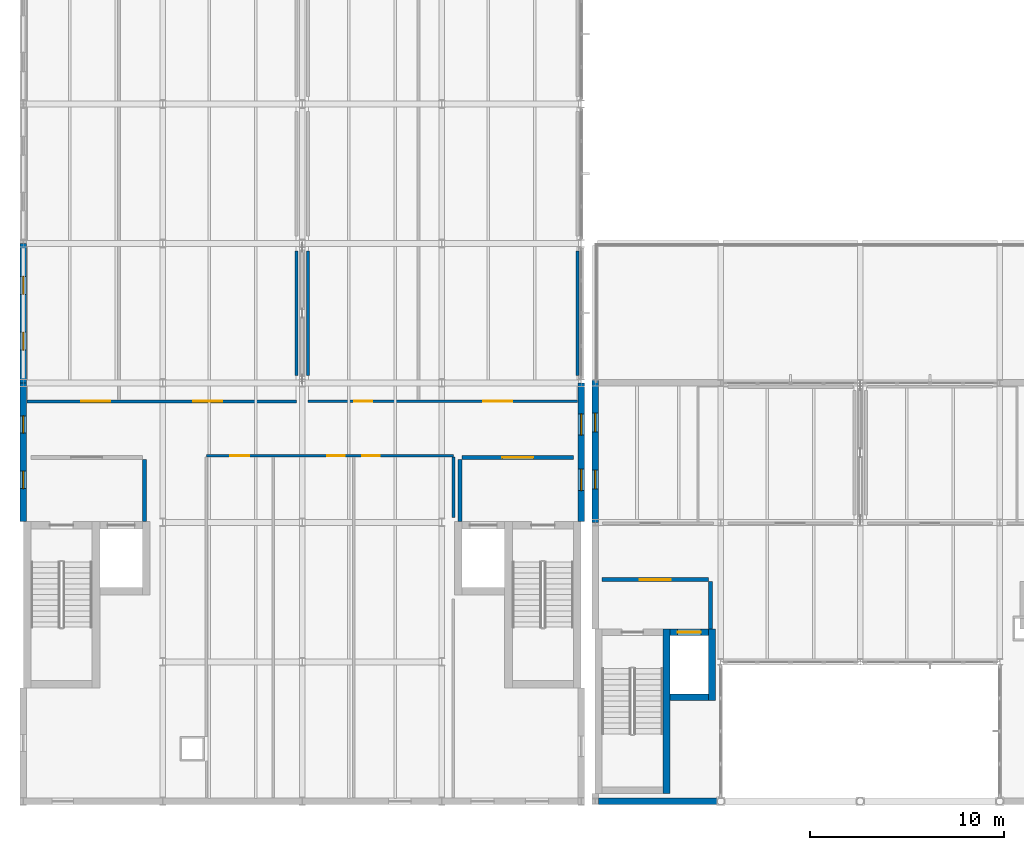
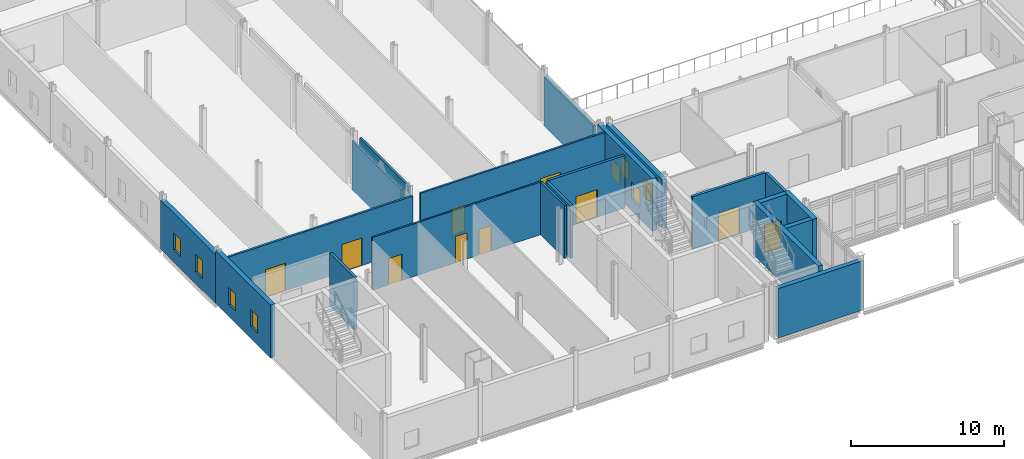
# One storey, part 36 of 53: 21 walls, 10 doors, 8 windows, 18 openings.
"""IFC4 building model written with IfcOpenShell, lengths in metres."""

from ifc_helpers import new_model, si_unit, direction, frame, frame_2d, origin, place, context, subcontext, project, spatial, rectangle, extrude, material, layer, layer_set, type_object, element, fill, save


model = new_model("IFC4")

# Units and contexts
model_context = context("Model", 3, precision=1e-05, world=origin(), true_north=direction((0.0, 1.0)))
body_context = subcontext(model_context, "Body", "Model", "MODEL_VIEW")
ifc_project = project(units=[si_unit("LENGTHUNIT", "METRE"), si_unit("AREAUNIT", "SQUARE_METRE"), si_unit("VOLUMEUNIT", "CUBIC_METRE"), si_unit("PLANEANGLEUNIT", "RADIAN"), si_unit("MASSUNIT", "GRAM", prefix="KILO")], contexts=[model_context])

# Site, building, storey
site_placement = place(None, origin())
site = spatial("IfcSite", under=ifc_project, at=site_placement, CompositionType="ELEMENT")
building_placement = place(site_placement, origin())
building = spatial("IfcBuilding", under=site, at=building_placement, Name="Zarrinpeak Specialist Clinic", CompositionType="ELEMENT")
storey_placement = place(building_placement, frame((0.0, 0.0, 14.0)))
storey = spatial("IfcBuildingStorey", under=building, at=storey_placement, Name="L03", CompositionType="ELEMENT", Elevation=14.0)

# Walls
ifc_material_1 = material(Name="Concrete C40/50", Category="concrete")
ifc_layer_1 = layer(ifc_material_1, 0.35009765625)
ifc_layer_set_1 = layer_set([ifc_layer_1], Name="Concrete C40/50")
wall_type_1 = type_object("IfcWallType", Name="WL-CR350", PredefinedType="SHEAR", material=ifc_layer_set_1)
wall_1_placement = place(storey_placement, frame((33.195068359375, 0.39990234375, 0.0), z_axis=(0.0, 0.0, 1.0), x_axis=(0.0, 1.0, 0.0)))
element("IfcWall", 1, at=wall_1_placement, inside=storey, type_object=wall_type_1, Name="L03 Core C03 Shear Wall STE", PredefinedType="SHEAR", context=body_context, shape_type="SweptSolid", body=[
    extrude(rectangle(XDim=8.5, YDim=0.35009765625, at=frame_2d((4.25, 0.0))), origin(), (0.0, 0.0, 1.0), 4.199951171875),
])
wall_2_placement = place(storey_placement, frame((33.3701171875, 5.375, 0.0), z_axis=(0.0, 0.0, 1.0), x_axis=(1.0, 0.0, 0.0)))
element("IfcWall", 2, at=wall_2_placement, inside=storey, type_object=wall_type_1, Name="L03 Lift LF-P2 Shaft Wall LFS", PredefinedType="SHEAR", context=body_context, shape_type="SweptSolid", body=[
    extrude(rectangle(XDim=2.0, YDim=0.35009765625, at=frame_2d((1.0, 0.0))), origin(), (0.0, 0.0, 1.0), 4.199951171875),
])

# Wall, opening, door
wall_3_placement = place(storey_placement, frame((33.3701171875, 8.72509765625, 0.0), z_axis=(0.0, 0.0, 1.0), x_axis=(1.0, 0.0, 0.0)))
wall_3 = element("IfcWall", 3, at=wall_3_placement, inside=storey, type_object=wall_type_1, Name="L03 Lift LF-P2 Shaft Wall LFN", PredefinedType="SHEAR", context=body_context, shape_type="SweptSolid", body=[
    extrude(rectangle(XDim=2.0, YDim=0.35009765625, at=frame_2d((1.0, 0.0))), origin(), (0.0, 0.0, 1.0), 4.199951171875),
])
opening_1_placement = place(wall_3_placement, frame((0.39990234375, 0.0, 0.0)))
opening_1 = element("IfcOpeningElement", 4, at=opening_1_placement, cuts=wall_3, Name="Opening LD-02", PredefinedType="OPENING", context=body_context, shape_type="SweptSolid", body=[
    extrude(rectangle(XDim=1.199951171875, YDim=2.199951171875, at=frame_2d((0.60009765625, 1.10009765625))), frame((0.0, 0.18505859375, 0.0), z_axis=(0.0, -1.0, 0.0), x_axis=(1.0, 0.0, 0.0)), (0.0, 0.0, 1.0), 0.3701171875),
])
ifc_material_2 = material(Name="Powder-Coated Galvanised Steel", Category="steel")
door_type_1 = type_object("IfcDoorType", Name="DR-LD120", OperationType="SLIDING_TO_RIGHT", PredefinedType="DOOR", material=ifc_material_2)
door_1_placement = place(opening_1_placement, origin())
door_1 = element("IfcDoor", 5, at=door_1_placement, inside=storey, type_object=door_type_1, Name="L03 Lift LF-P2 Sliding Landing Door", OperationType="SLIDING_TO_RIGHT", OverallHeight=2.199951171875, OverallWidth=1.199951171875, PredefinedType="DOOR", context=body_context, shape_type="SweptSolid", body=[
    extrude(rectangle(XDim=1.199951171875, YDim=2.199951171875, at=frame_2d((0.60009765625, 1.10009765625))), frame((0.0, 0.02490234375, 0.0), z_axis=(0.0, -1.0, 0.0), x_axis=(1.0, 0.0, 0.0)), (0.0, 0.0, 1.0), 0.050048828125),
])
fill(opening_1, door_1)

# Wall
wall_4_placement = place(storey_placement, frame((35.544921875, 5.199951171875, 0.0), z_axis=(0.0, 0.0, 1.0), x_axis=(0.0, 1.0, 0.0)))
element("IfcWall", 6, at=wall_4_placement, inside=storey, type_object=wall_type_1, Name="L03 Lift LF-P2 Shaft Wall LFE", PredefinedType="SHEAR", context=body_context, shape_type="SweptSolid", body=[
    extrude(rectangle(XDim=3.699951171875, YDim=0.35009765625, at=frame_2d((1.85009765625, 0.0))), origin(), (0.0, 0.0, 1.0), 4.199951171875),
])

# Wall, openings, windows
ifc_material_3 = material(Name="Precast concrete C40/50", Category="concrete")
ifc_layer_2 = layer(ifc_material_3, 0.340087890625)
ifc_layer_set_2 = layer_set([ifc_layer_2], Name="Precast concrete C40/50")
wall_type_2 = type_object("IfcWallType", Name="WL-EW340", PredefinedType="STANDARD", material=ifc_layer_set_2)
wall_5_placement = place(storey_placement, frame((0.0, 21.60009765625, 0.0), z_axis=(0.0, 0.0, 1.0), x_axis=(0.0, -1.0, 0.0)))
wall_5 = element("IfcWall", 7, at=wall_5_placement, inside=storey, type_object=wall_type_2, Name="L03 V1 Exterior GRC Wall EW-L03-V1-0050", PredefinedType="STANDARD", context=body_context, shape_type="SweptSolid", body=[
    extrude(rectangle(XDim=7.150146484375, YDim=0.340087890625, at=frame_2d((3.5751953125, 0.0))), origin(), (0.0, 0.0, 1.0), 4.199951171875),
])
opening_2_placement = place(wall_5_placement, frame((1.697998046875, 0.0, 0.949951171875)))
opening_2 = element("IfcOpeningElement", 8, at=opening_2_placement, cuts=wall_5, Name="Opening WS-41", PredefinedType="OPENING", context=body_context, shape_type="SweptSolid", body=[
    extrude(rectangle(XDim=0.89404296875, YDim=1.367919921875, at=frame_2d((0.447021484375, 0.68408203125))), frame((0.0, 0.18017578125, 0.0), z_axis=(0.0, -1.0, 0.0), x_axis=(1.0, 0.0, 0.0)), (0.0, 0.0, 1.0), 0.360107421875),
])
opening_3_placement = place(wall_5_placement, frame((4.55810546875, 0.0, 0.949951171875)))
opening_3 = element("IfcOpeningElement", 9, at=opening_3_placement, cuts=wall_5, Name="Opening WS-41", PredefinedType="OPENING", context=body_context, shape_type="SweptSolid", body=[
    extrude(rectangle(XDim=0.89404296875, YDim=1.367919921875, at=frame_2d((0.447021484375, 0.68408203125))), frame((0.0, 0.18017578125, 0.0), z_axis=(0.0, -1.0, 0.0), x_axis=(1.0, 0.0, 0.0)), (0.0, 0.0, 1.0), 0.360107421875),
])
ifc_material_4 = material(Name="Thermally Broken Aluminium and Low-E Glazing", Category="aluminium")
window_type_1 = type_object("IfcWindowType", Name="WN-SP41", PartitioningType="SINGLE_PANEL", PredefinedType="WINDOW", material=ifc_material_4)
window_1_placement = place(opening_2_placement, origin())
window_1 = element("IfcWindow", 10, at=window_1_placement, inside=storey, type_object=window_type_1, Name="L03 Modular Facade Window WN-L03-0073", OverallHeight=1.367919921875, OverallWidth=0.89404296875, PartitioningType="SINGLE_PANEL", PredefinedType="WINDOW", context=body_context, shape_type="SweptSolid", body=[
    extrude(rectangle(XDim=0.89404296875, YDim=1.367919921875, at=frame_2d((0.447021484375, 0.68408203125))), frame((0.0, 0.030029296875, 0.0), z_axis=(0.0, -1.0, 0.0), x_axis=(1.0, 0.0, 0.0)), (0.0, 0.0, 1.0), 0.06005859375),
])
fill(opening_2, window_1)
window_2_placement = place(opening_3_placement, origin())
window_2 = element("IfcWindow", 11, at=window_2_placement, inside=storey, type_object=window_type_1, Name="L03 Modular Facade Window WN-L03-0074", OverallHeight=1.367919921875, OverallWidth=0.89404296875, PartitioningType="SINGLE_PANEL", PredefinedType="WINDOW", context=body_context, shape_type="SweptSolid", body=[
    extrude(rectangle(XDim=0.89404296875, YDim=1.367919921875, at=frame_2d((0.447021484375, 0.68408203125))), frame((0.0, 0.030029296875, 0.0), z_axis=(0.0, -1.0, 0.0), x_axis=(1.0, 0.0, 0.0)), (0.0, 0.0, 1.0), 0.06005859375),
])
fill(opening_3, window_2)

wall_6_placement = place(storey_placement, frame((0.0, 28.800048828125, 0.0), z_axis=(0.0, 0.0, 1.0), x_axis=(0.0, -1.0, 0.0)))
wall_6 = element("IfcWall", 12, at=wall_6_placement, inside=storey, type_object=wall_type_2, Name="L03 V1 Exterior GRC Wall EW-L03-V1-0051", PredefinedType="STANDARD", context=body_context, shape_type="SweptSolid", body=[
    extrude(rectangle(XDim=7.199951171875, YDim=0.340087890625, at=frame_2d((3.60009765625, 0.0))), origin(), (0.0, 0.0, 1.0), 3.885009765625),
])
opening_4_placement = place(wall_6_placement, frame((1.696044921875, 0.0, 0.949951171875)))
opening_4 = element("IfcOpeningElement", 13, at=opening_4_placement, cuts=wall_6, Name="Opening WS-42", PredefinedType="OPENING", context=body_context, shape_type="SweptSolid", body=[
    extrude(rectangle(XDim=0.927978515625, YDim=1.367919921875, at=frame_2d((0.4638671875, 0.68408203125))), frame((0.0, 0.18017578125, 0.0), z_axis=(0.0, -1.0, 0.0), x_axis=(1.0, 0.0, 0.0)), (0.0, 0.0, 1.0), 0.360107421875),
])
opening_5_placement = place(wall_6_placement, frame((4.575927734375, 0.0, 0.949951171875)))
opening_5 = element("IfcOpeningElement", 14, at=opening_5_placement, cuts=wall_6, Name="Opening WS-42", PredefinedType="OPENING", context=body_context, shape_type="SweptSolid", body=[
    extrude(rectangle(XDim=0.927978515625, YDim=1.367919921875, at=frame_2d((0.4638671875, 0.68408203125))), frame((0.0, 0.18017578125, 0.0), z_axis=(0.0, -1.0, 0.0), x_axis=(1.0, 0.0, 0.0)), (0.0, 0.0, 1.0), 0.360107421875),
])
window_type_2 = type_object("IfcWindowType", Name="WN-SP42", PartitioningType="SINGLE_PANEL", PredefinedType="WINDOW", material=ifc_material_4)
window_3_placement = place(opening_4_placement, origin())
window_3 = element("IfcWindow", 15, at=window_3_placement, inside=storey, type_object=window_type_2, Name="L03 Modular Facade Window WN-L03-0075", OverallHeight=1.367919921875, OverallWidth=0.927978515625, PartitioningType="SINGLE_PANEL", PredefinedType="WINDOW", context=body_context, shape_type="SweptSolid", body=[
    extrude(rectangle(XDim=0.927978515625, YDim=1.367919921875, at=frame_2d((0.4638671875, 0.68408203125))), frame((0.0, 0.030029296875, 0.0), z_axis=(0.0, -1.0, 0.0), x_axis=(1.0, 0.0, 0.0)), (0.0, 0.0, 1.0), 0.06005859375),
])
fill(opening_4, window_3)
window_4_placement = place(opening_5_placement, origin())
window_4 = element("IfcWindow", 16, at=window_4_placement, inside=storey, type_object=window_type_2, Name="L03 Modular Facade Window WN-L03-0076", OverallHeight=1.367919921875, OverallWidth=0.927978515625, PartitioningType="SINGLE_PANEL", PredefinedType="WINDOW", context=body_context, shape_type="SweptSolid", body=[
    extrude(rectangle(XDim=0.927978515625, YDim=1.367919921875, at=frame_2d((0.4638671875, 0.68408203125))), frame((0.0, 0.030029296875, 0.0), z_axis=(0.0, -1.0, 0.0), x_axis=(1.0, 0.0, 0.0)), (0.0, 0.0, 1.0), 0.06005859375),
])
fill(opening_5, window_4)

wall_7_placement = place(storey_placement, frame((28.800048828125, 14.449951171875, 0.0), z_axis=(0.0, 0.0, 1.0), x_axis=(0.0, 1.0, 0.0)))
wall_7 = element("IfcWall", 17, at=wall_7_placement, inside=storey, type_object=wall_type_2, Name="L03 V1 Exterior GRC Wall EW-L03-V1-0056", PredefinedType="STANDARD", context=body_context, shape_type="SweptSolid", body=[
    extrude(rectangle(XDim=7.150146484375, YDim=0.340087890625, at=frame_2d((3.5751953125, 0.0))), origin(), (0.0, 0.0, 1.0), 4.199951171875),
])
opening_6_placement = place(wall_7_placement, frame((1.595947265625, 0.0, 0.949951171875)))
opening_6 = element("IfcOpeningElement", 18, at=opening_6_placement, cuts=wall_7, Name="Opening WS-47", PredefinedType="OPENING", context=body_context, shape_type="SweptSolid", body=[
    extrude(rectangle(XDim=1.097900390625, YDim=1.367919921875, at=frame_2d((0.548828125, 0.68408203125))), frame((0.0, 0.18017578125, 0.0), z_axis=(0.0, -1.0, 0.0), x_axis=(1.0, 0.0, 0.0)), (0.0, 0.0, 1.0), 0.360107421875),
])
opening_7_placement = place(wall_7_placement, frame((4.4560546875, 0.0, 0.949951171875)))
opening_7 = element("IfcOpeningElement", 19, at=opening_7_placement, cuts=wall_7, Name="Opening WS-47", PredefinedType="OPENING", context=body_context, shape_type="SweptSolid", body=[
    extrude(rectangle(XDim=1.097900390625, YDim=1.367919921875, at=frame_2d((0.548828125, 0.68408203125))), frame((0.0, 0.18017578125, 0.0), z_axis=(0.0, -1.0, 0.0), x_axis=(1.0, 0.0, 0.0)), (0.0, 0.0, 1.0), 0.360107421875),
])
window_type_3 = type_object("IfcWindowType", Name="WN-SP47", PartitioningType="SINGLE_PANEL", PredefinedType="WINDOW", material=ifc_material_4)
window_5_placement = place(opening_6_placement, origin())
window_5 = element("IfcWindow", 20, at=window_5_placement, inside=storey, type_object=window_type_3, Name="L03 Modular Facade Window WN-L03-0084", OverallHeight=1.367919921875, OverallWidth=1.097900390625, PartitioningType="SINGLE_PANEL", PredefinedType="WINDOW", context=body_context, shape_type="SweptSolid", body=[
    extrude(rectangle(XDim=1.097900390625, YDim=1.367919921875, at=frame_2d((0.548828125, 0.68408203125))), frame((0.0, 0.030029296875, 0.0), z_axis=(0.0, -1.0, 0.0), x_axis=(1.0, 0.0, 0.0)), (0.0, 0.0, 1.0), 0.06005859375),
])
fill(opening_6, window_5)
window_6_placement = place(opening_7_placement, origin())
window_6 = element("IfcWindow", 21, at=window_6_placement, inside=storey, type_object=window_type_3, Name="L03 Modular Facade Window WN-L03-0085", OverallHeight=1.367919921875, OverallWidth=1.097900390625, PartitioningType="SINGLE_PANEL", PredefinedType="WINDOW", context=body_context, shape_type="SweptSolid", body=[
    extrude(rectangle(XDim=1.097900390625, YDim=1.367919921875, at=frame_2d((0.548828125, 0.68408203125))), frame((0.0, 0.030029296875, 0.0), z_axis=(0.0, -1.0, 0.0), x_axis=(1.0, 0.0, 0.0)), (0.0, 0.0, 1.0), 0.06005859375),
])
fill(opening_7, window_6)

# Wall
wall_8_placement = place(storey_placement, frame((29.68994140625, 0.0, 0.0), z_axis=(0.0, 0.0, 1.0), x_axis=(1.0, 0.0, 0.0)))
element("IfcWall", 22, at=wall_8_placement, inside=storey, type_object=wall_type_2, Name="L03 V2 Exterior GRC Wall EW-L03-V2-0133", PredefinedType="STANDARD", context=body_context, shape_type="SweptSolid", body=[
    extrude(rectangle(XDim=6.420166015625, YDim=0.340087890625, at=frame_2d((3.2099609375, 0.0))), origin(), (0.0, 0.0, 1.0), 3.93505859375),
])

# Wall, openings, windows
wall_9_placement = place(storey_placement, frame((29.52001953125, 21.77001953125, 0.0), z_axis=(0.0, 0.0, 1.0), x_axis=(0.0, -1.0, 0.0)))
wall_9 = element("IfcWall", 23, at=wall_9_placement, inside=storey, type_object=wall_type_2, Name="L03 V2 Exterior GRC Wall EW-L03-V2-0139", PredefinedType="STANDARD", context=body_context, shape_type="SweptSolid", body=[
    extrude(rectangle(XDim=7.3701171875, YDim=0.340087890625, at=frame_2d((3.68505859375, 0.0))), origin(), (0.0, 0.0, 1.0), 3.89501953125),
])
opening_8_placement = place(wall_9_placement, frame((1.72998046875, 0.0, 0.949951171875)))
opening_8 = element("IfcOpeningElement", 24, at=opening_8_placement, cuts=wall_9, Name="Opening WS-56", PredefinedType="OPENING", context=body_context, shape_type="SweptSolid", body=[
    extrude(rectangle(XDim=0.9619140625, YDim=1.404052734375, at=frame_2d((0.48095703125, 0.7021484375))), frame((0.0, 0.18017578125, 0.0), z_axis=(0.0, -1.0, 0.0), x_axis=(1.0, 0.0, 0.0)), (0.0, 0.0, 1.0), 0.360107421875),
])
opening_9_placement = place(wall_9_placement, frame((4.677978515625, 0.0, 0.949951171875)))
opening_9 = element("IfcOpeningElement", 25, at=opening_9_placement, cuts=wall_9, Name="Opening WS-56", PredefinedType="OPENING", context=body_context, shape_type="SweptSolid", body=[
    extrude(rectangle(XDim=0.9619140625, YDim=1.404052734375, at=frame_2d((0.48095703125, 0.7021484375))), frame((0.0, 0.18017578125, 0.0), z_axis=(0.0, -1.0, 0.0), x_axis=(1.0, 0.0, 0.0)), (0.0, 0.0, 1.0), 0.360107421875),
])
window_type_4 = type_object("IfcWindowType", Name="WN-SP56", PartitioningType="SINGLE_PANEL", PredefinedType="WINDOW", material=ifc_material_4)
window_7_placement = place(opening_8_placement, origin())
window_7 = element("IfcWindow", 26, at=window_7_placement, inside=storey, type_object=window_type_4, Name="L03 Modular Facade Window WN-L03-0172", OverallHeight=1.404052734375, OverallWidth=0.9619140625, PartitioningType="SINGLE_PANEL", PredefinedType="WINDOW", context=body_context, shape_type="SweptSolid", body=[
    extrude(rectangle(XDim=0.9619140625, YDim=1.404052734375, at=frame_2d((0.48095703125, 0.7021484375))), frame((0.0, 0.030029296875, 0.0), z_axis=(0.0, -1.0, 0.0), x_axis=(1.0, 0.0, 0.0)), (0.0, 0.0, 1.0), 0.06005859375),
])
fill(opening_8, window_7)
window_8_placement = place(opening_9_placement, origin())
window_8 = element("IfcWindow", 27, at=window_8_placement, inside=storey, type_object=window_type_4, Name="L03 Modular Facade Window WN-L03-0173", OverallHeight=1.404052734375, OverallWidth=0.9619140625, PartitioningType="SINGLE_PANEL", PredefinedType="WINDOW", context=body_context, shape_type="SweptSolid", body=[
    extrude(rectangle(XDim=0.9619140625, YDim=1.404052734375, at=frame_2d((0.48095703125, 0.7021484375))), frame((0.0, 0.030029296875, 0.0), z_axis=(0.0, -1.0, 0.0), x_axis=(1.0, 0.0, 0.0)), (0.0, 0.0, 1.0), 0.06005859375),
])
fill(opening_9, window_8)

# Wall, openings, doors
ifc_material_5 = material(Name="Moisture-Resistant Wet-Room Partition", Category="gypsum")
ifc_layer_3 = layer(ifc_material_5, 0.125)
ifc_layer_set_3 = layer_set([ifc_layer_3], Name="Moisture-Resistant Wet-Room Partition")
wall_type_3 = type_object("IfcWallType", Name="WL-IW125W", PredefinedType="PARTITIONING", material=ifc_layer_set_3)
wall_10_placement = place(storey_placement, frame((9.449951171875, 17.85009765625, 0.0), z_axis=(0.0, 0.0, 1.0), x_axis=(1.0, 0.0, 0.0)))
wall_10 = element("IfcWall", 28, at=wall_10_placement, inside=storey, type_object=wall_type_3, Name="L03 Accessible Patient WC Partition", PredefinedType="PARTITIONING", context=body_context, shape_type="SweptSolid", body=[
    extrude(rectangle(XDim=12.75, YDim=0.125, at=frame_2d((6.375, 0.0))), origin(), (0.0, 0.0, 1.0), 4.199951171875),
])
opening_10_placement = place(wall_10_placement, frame((1.22509765625, 0.0, 0.0)))
opening_10 = element("IfcOpeningElement", 29, at=opening_10_placement, cuts=wall_10, Name="Opening D-W02", PredefinedType="OPENING", context=body_context, shape_type="SweptSolid", body=[
    extrude(rectangle(XDim=1.0, YDim=2.10009765625, at=frame_2d((0.5, 1.050048828125))), frame((0.0, 0.072509765625, 0.0), z_axis=(0.0, -1.0, 0.0), x_axis=(1.0, 0.0, 0.0)), (0.0, 0.0, 1.0), 0.14501953125),
])
opening_11_placement = place(wall_10_placement, frame((6.25, 0.0, 0.0)))
opening_11 = element("IfcOpeningElement", 30, at=opening_11_placement, cuts=wall_10, Name="Opening D-W01", PredefinedType="OPENING", context=body_context, shape_type="SweptSolid", body=[
    extrude(rectangle(XDim=0.89990234375, YDim=2.10009765625, at=frame_2d((0.449951171875, 1.050048828125))), frame((0.0, 0.072509765625, 0.0), z_axis=(0.0, -1.0, 0.0), x_axis=(1.0, 0.0, 0.0)), (0.0, 0.0, 1.0), 0.14501953125),
])
opening_12_placement = place(wall_10_placement, frame((8.050048828125, 0.0, 0.0)))
opening_12 = element("IfcOpeningElement", 31, at=opening_12_placement, cuts=wall_10, Name="Opening DS-02", PredefinedType="OPENING", context=body_context, shape_type="SweptSolid", body=[
    extrude(rectangle(XDim=0.906005859375, YDim=2.0400390625, at=frame_2d((0.453125, 1.02001953125))), frame((0.0, 0.072509765625, 0.0), z_axis=(0.0, -1.0, 0.0), x_axis=(1.0, 0.0, 0.0)), (0.0, 0.0, 1.0), 0.14501953125),
])
door_type_2 = type_object("IfcDoorType", Name="DR-AWC100", OperationType="SLIDING_TO_LEFT", PredefinedType="DOOR", material=ifc_material_2)
door_2_placement = place(opening_10_placement, origin())
door_2 = element("IfcDoor", 32, at=door_2_placement, inside=storey, type_object=door_type_2, Name="L03 Accessible Patient WC Door", OperationType="SLIDING_TO_LEFT", OverallHeight=2.10009765625, OverallWidth=1.0, PredefinedType="DOOR", context=body_context, shape_type="SweptSolid", body=[
    extrude(rectangle(XDim=1.0, YDim=2.10009765625, at=frame_2d((0.5, 1.050048828125))), frame((0.0, 0.02490234375, 0.0), z_axis=(0.0, -1.0, 0.0), x_axis=(1.0, 0.0, 0.0)), (0.0, 0.0, 1.0), 0.050048828125),
])
fill(opening_10, door_2)
door_type_3 = type_object("IfcDoorType", Name="DR-SP02", OperationType="SINGLE_SWING_LEFT", PredefinedType="DOOR", material=ifc_material_2)
door_3_placement = place(opening_12_placement, origin())
door_3 = element("IfcDoor", 33, at=door_3_placement, inside=storey, type_object=door_type_3, Name="L03 Prosthetics Fitting Workshop Door", OperationType="SINGLE_SWING_LEFT", OverallHeight=2.0400390625, OverallWidth=0.906005859375, PredefinedType="DOOR", context=body_context, shape_type="SweptSolid", body=[
    extrude(rectangle(XDim=0.906005859375, YDim=2.0400390625, at=frame_2d((0.453125, 1.02001953125))), frame((0.0, 0.02490234375, 0.0), z_axis=(0.0, -1.0, 0.0), x_axis=(1.0, 0.0, 0.0)), (0.0, 0.0, 1.0), 0.050048828125),
])
fill(opening_12, door_3)
door_type_4 = type_object("IfcDoorType", Name="DR-WC90", OperationType="SINGLE_SWING_RIGHT", PredefinedType="DOOR", material=ifc_material_2)
door_4_placement = place(opening_11_placement, origin())
door_4 = element("IfcDoor", 34, at=door_4_placement, inside=storey, type_object=door_type_4, Name="L03 Clinical Staff WC Door", OperationType="SINGLE_SWING_RIGHT", OverallHeight=2.10009765625, OverallWidth=0.89990234375, PredefinedType="DOOR", context=body_context, shape_type="SweptSolid", body=[
    extrude(rectangle(XDim=0.89990234375, YDim=2.10009765625, at=frame_2d((0.449951171875, 1.050048828125))), frame((0.0, 0.02490234375, 0.0), z_axis=(0.0, -1.0, 0.0), x_axis=(1.0, 0.0, 0.0)), (0.0, 0.0, 1.0), 0.050048828125),
])
fill(opening_11, door_4)

ifc_material_6 = material(Name="Acoustic Consultation Stud Partition", Category="gypsum")
ifc_layer_4 = layer(ifc_material_6, 0.14208984375)
ifc_layer_set_4 = layer_set([ifc_layer_4], Name="Acoustic Consultation Stud Partition")
wall_type_4 = type_object("IfcWallType", Name="WL-IW142", PredefinedType="PARTITIONING", material=ifc_layer_set_4)
wall_11_placement = place(storey_placement, frame((14.699951171875, 20.64990234375, 0.0), z_axis=(0.0, 0.0, 1.0), x_axis=(1.0, 0.0, 0.0)))
wall_11 = element("IfcWall", 35, at=wall_11_placement, inside=storey, type_object=wall_type_4, Name="L03 Rheumatology Ultrasound Consult Partition", PredefinedType="PARTITIONING", context=body_context, shape_type="SweptSolid", body=[
    extrude(rectangle(XDim=13.900146484375, YDim=0.14208984375, at=frame_2d((6.9501953125, 0.0))), origin(), (0.0, 0.0, 1.0), 4.199951171875),
])
opening_13_placement = place(wall_11_placement, frame((2.384033203125, 0.0, 0.0)))
opening_13 = element("IfcOpeningElement", 36, at=opening_13_placement, cuts=wall_11, Name="Opening DS-03", PredefinedType="OPENING", context=body_context, shape_type="SweptSolid", body=[
    extrude(rectangle(XDim=0.931884765625, YDim=2.0400390625, at=frame_2d((0.4658203125, 1.02001953125))), frame((0.0, 0.0810546875, 0.0), z_axis=(0.0, -1.0, 0.0), x_axis=(1.0, 0.0, 0.0)), (0.0, 0.0, 1.0), 0.162109375),
])
opening_14_placement = place(wall_11_placement, frame((9.050048828125, 0.0, 0.0)))
opening_14 = element("IfcOpeningElement", 37, at=opening_14_placement, cuts=wall_11, Name="Opening D-B01", PredefinedType="OPENING", context=body_context, shape_type="SweptSolid", body=[
    extrude(rectangle(XDim=1.5, YDim=2.199951171875, at=frame_2d((0.75, 1.10009765625))), frame((0.0, 0.0810546875, 0.0), z_axis=(0.0, -1.0, 0.0), x_axis=(1.0, 0.0, 0.0)), (0.0, 0.0, 1.0), 0.162109375),
])
door_type_5 = type_object("IfcDoorType", Name="DR-BED150", OperationType="DOUBLE_DOOR_SINGLE_SWING", PredefinedType="DOOR", material=ifc_material_2)
door_5_placement = place(opening_14_placement, frame((1.5, 0.0, 0.0), z_axis=(0.0, 0.0, 1.0), x_axis=(-1.0, 0.0, 0.0)))
door_5 = element("IfcDoor", 38, at=door_5_placement, inside=storey, type_object=door_type_5, Name="L03 Gait Motion Analysis Room Door", OperationType="DOUBLE_DOOR_SINGLE_SWING", OverallHeight=2.199951171875, OverallWidth=1.5, PredefinedType="DOOR", context=body_context, shape_type="SweptSolid", body=[
    extrude(rectangle(XDim=1.5, YDim=2.199951171875, at=frame_2d((0.75, 1.10009765625))), frame((0.0, 0.02490234375, 0.0), z_axis=(0.0, -1.0, 0.0), x_axis=(1.0, 0.0, 0.0)), (0.0, 0.0, 1.0), 0.050048828125),
])
fill(opening_14, door_5)
door_type_6 = type_object("IfcDoorType", Name="DR-SP03", OperationType="SINGLE_SWING_RIGHT", PredefinedType="DOOR", material=ifc_material_2)
door_6_placement = place(opening_13_placement, frame((0.931884765625, 0.0, 0.0), z_axis=(0.0, 0.0, 1.0), x_axis=(-1.0, 0.0, 0.0)))
door_6 = element("IfcDoor", 39, at=door_6_placement, inside=storey, type_object=door_type_6, Name="L03 Rheumatology Ultrasound Consult Door", OperationType="SINGLE_SWING_RIGHT", OverallHeight=2.0400390625, OverallWidth=0.931884765625, PredefinedType="DOOR", context=body_context, shape_type="SweptSolid", body=[
    extrude(rectangle(XDim=0.931884765625, YDim=2.0400390625, at=frame_2d((0.4658203125, 1.02001953125))), frame((0.0, 0.02490234375, 0.0), z_axis=(0.0, -1.0, 0.0), x_axis=(1.0, 0.0, 0.0)), (0.0, 0.0, 1.0), 0.050048828125),
])
fill(opening_13, door_6)

# Walls
wall_12_placement = place(storey_placement, frame((14.10009765625, 21.97998046875, 0.0), z_axis=(0.0, 0.0, 1.0), x_axis=(0.0, 1.0, 0.0)))
element("IfcWall", 40, at=wall_12_placement, inside=storey, type_object=wall_type_4, Name="L03 Pain Management Procedure Suite Dividing Partition", PredefinedType="PARTITIONING", context=body_context, shape_type="SweptSolid", body=[
    extrude(rectangle(XDim=6.43994140625, YDim=0.14208984375, at=frame_2d((3.219970703125, 0.0))), origin(), (0.0, 0.0, 1.0), 3.89501953125),
])
ifc_material_7 = material(Name="Lead-Lined X-Ray Diagnostic Partition", Category="gypsum")
ifc_layer_5 = layer(ifc_material_7, 0.157958984375)
ifc_layer_set_5 = layer_set([ifc_layer_5], Name="Lead-Lined X-Ray Diagnostic Partition")
wall_type_5 = type_object("IfcWallType", Name="WL-IW158", PredefinedType="PARTITIONING", material=ifc_layer_set_5)
wall_13_placement = place(storey_placement, frame((28.60009765625, 21.97998046875, 0.0), z_axis=(0.0, 0.0, 1.0), x_axis=(0.0, 1.0, 0.0)))
element("IfcWall", 41, at=wall_13_placement, inside=storey, type_object=wall_type_5, Name="L03 Gait Motion Analysis Room Dividing Partition", PredefinedType="PARTITIONING", context=body_context, shape_type="SweptSolid", body=[
    extrude(rectangle(XDim=6.43994140625, YDim=0.157958984375, at=frame_2d((3.219970703125, 0.0))), origin(), (0.0, 0.0, 1.0), 3.885009765625),
])

# Wall, openings, doors
ifc_material_8 = material(Name="Acoustic Double Gypsum Stud Partition", Category="gypsum")
ifc_layer_6 = layer(ifc_material_8, 0.159912109375)
ifc_layer_set_6 = layer_set([ifc_layer_6], Name="Acoustic Double Gypsum Stud Partition")
wall_type_6 = type_object("IfcWallType", Name="WL-IW160", PredefinedType="PARTITIONING", material=ifc_layer_set_6)
wall_14_placement = place(storey_placement, frame((0.199951171875, 20.64990234375, 0.0), z_axis=(0.0, 0.0, 1.0), x_axis=(1.0, 0.0, 0.0)))
wall_14 = element("IfcWall", 42, at=wall_14_placement, inside=storey, type_object=wall_type_6, Name="L03 Orthopaedic Cast and Splint Clinic Partition", PredefinedType="PARTITIONING", context=body_context, shape_type="SweptSolid", body=[
    extrude(rectangle(XDim=13.900146484375, YDim=0.159912109375, at=frame_2d((6.9501953125, 0.0))), origin(), (0.0, 0.0, 1.0), 4.199951171875),
])
opening_15_placement = place(wall_14_placement, frame((2.800048828125, 0.0, 0.0)))
opening_15 = element("IfcOpeningElement", 43, at=opening_15_placement, cuts=wall_14, Name="Opening D-B01", PredefinedType="OPENING", context=body_context, shape_type="SweptSolid", body=[
    extrude(rectangle(XDim=1.5, YDim=2.199951171875, at=frame_2d((0.75, 1.10009765625))), frame((0.0, 0.08984375, 0.0), z_axis=(0.0, -1.0, 0.0), x_axis=(1.0, 0.0, 0.0)), (0.0, 0.0, 1.0), 0.179931640625),
])
opening_16_placement = place(wall_14_placement, frame((8.574951171875, 0.0, 0.0)))
opening_16 = element("IfcOpeningElement", 44, at=opening_16_placement, cuts=wall_14, Name="Opening D-B01", PredefinedType="OPENING", context=body_context, shape_type="SweptSolid", body=[
    extrude(rectangle(XDim=1.5, YDim=2.199951171875, at=frame_2d((0.75, 1.10009765625))), frame((0.0, 0.08984375, 0.0), z_axis=(0.0, -1.0, 0.0), x_axis=(1.0, 0.0, 0.0)), (0.0, 0.0, 1.0), 0.179931640625),
])
door_7_placement = place(opening_15_placement, frame((1.5, 0.0, 0.0), z_axis=(0.0, 0.0, 1.0), x_axis=(-1.0, 0.0, 0.0)))
door_7 = element("IfcDoor", 45, at=door_7_placement, inside=storey, type_object=door_type_5, Name="L03 Orthopaedic Cast and Splint Clinic Door", OperationType="DOUBLE_DOOR_SINGLE_SWING", OverallHeight=2.199951171875, OverallWidth=1.5, PredefinedType="DOOR", context=body_context, shape_type="SweptSolid", body=[
    extrude(rectangle(XDim=1.5, YDim=2.199951171875, at=frame_2d((0.75, 1.10009765625))), frame((0.0, 0.02490234375, 0.0), z_axis=(0.0, -1.0, 0.0), x_axis=(1.0, 0.0, 0.0)), (0.0, 0.0, 1.0), 0.050048828125),
])
fill(opening_15, door_7)
door_8_placement = place(opening_16_placement, frame((1.5, 0.0, 0.0), z_axis=(0.0, 0.0, 1.0), x_axis=(-1.0, 0.0, 0.0)))
door_8 = element("IfcDoor", 46, at=door_8_placement, inside=storey, type_object=door_type_5, Name="L03 Pain Management Procedure Suite Door", OperationType="DOUBLE_DOOR_SINGLE_SWING", OverallHeight=2.199951171875, OverallWidth=1.5, PredefinedType="DOOR", context=body_context, shape_type="SweptSolid", body=[
    extrude(rectangle(XDim=1.5, YDim=2.199951171875, at=frame_2d((0.75, 1.10009765625))), frame((0.0, 0.02490234375, 0.0), z_axis=(0.0, -1.0, 0.0), x_axis=(1.0, 0.0, 0.0)), (0.0, 0.0, 1.0), 0.050048828125),
])
fill(opening_16, door_8)

# Walls
wall_15_placement = place(storey_placement, frame((14.699951171875, 21.97998046875, 0.0), z_axis=(0.0, 0.0, 1.0), x_axis=(0.0, 1.0, 0.0)))
element("IfcWall", 47, at=wall_15_placement, inside=storey, type_object=wall_type_6, Name="L03 Rheumatology Ultrasound Consult Dividing Partition", PredefinedType="PARTITIONING", context=body_context, shape_type="SweptSolid", body=[
    extrude(rectangle(XDim=6.43994140625, YDim=0.159912109375, at=frame_2d((3.219970703125, 0.0))), origin(), (0.0, 0.0, 1.0), 3.89501953125),
])
wall_16_placement = place(storey_placement, frame((22.199951171875, 14.64990234375, 0.0), z_axis=(0.0, 0.0, 1.0), x_axis=(0.0, 1.0, 0.0)))
element("IfcWall", 48, at=wall_16_placement, inside=storey, type_object=wall_type_6, Name="L03 Prosthetics Fitting Workshop Dividing Partition", PredefinedType="PARTITIONING", context=body_context, shape_type="SweptSolid", body=[
    extrude(rectangle(XDim=3.1376953125, YDim=0.159912109375, at=frame_2d((1.56884765625, 0.0))), origin(), (0.0, 0.0, 1.0), 4.199951171875),
])
ifc_material_9 = material(Name="Autoclaved Aerated Concrete Blockwork", Category="masonry")
ifc_layer_7 = layer(ifc_material_9, 0.199951171875)
ifc_layer_set_7 = layer_set([ifc_layer_7], Name="Autoclaved Aerated Concrete Blockwork")
wall_type_7 = type_object("IfcWallType", Name="WL-IW200", PredefinedType="PARTITIONING", material=ifc_layer_set_7)
wall_17_placement = place(storey_placement, frame((6.25, 14.449951171875, 0.0), z_axis=(0.0, 0.0, 1.0), x_axis=(0.0, 1.0, 0.0)))
element("IfcWall", 49, at=wall_17_placement, inside=storey, type_object=wall_type_7, Name="L03 C01 Protected Lobby Partition LBE", PredefinedType="PARTITIONING", context=body_context, shape_type="SweptSolid", body=[
    extrude(rectangle(XDim=3.199951171875, YDim=0.199951171875, at=frame_2d((1.60009765625, 0.0))), origin(), (0.0, 0.0, 1.0), 4.199951171875),
])

# Wall, opening, door
wall_18_placement = place(storey_placement, frame((22.64990234375, 17.75, 0.0), z_axis=(0.0, 0.0, 1.0), x_axis=(1.0, 0.0, 0.0)))
wall_18 = element("IfcWall", 50, at=wall_18_placement, inside=storey, type_object=wall_type_7, Name="L03 C02 Protected Lobby Partition LBF", PredefinedType="PARTITIONING", context=body_context, shape_type="SweptSolid", body=[
    extrude(rectangle(XDim=5.75, YDim=0.199951171875, at=frame_2d((2.875, 0.0))), origin(), (0.0, 0.0, 1.0), 4.199951171875),
])
opening_17_placement = place(wall_18_placement, frame((2.074951171875, 0.0, 0.0)))
opening_17 = element("IfcOpeningElement", 51, at=opening_17_placement, cuts=wall_18, Name="Opening D-L01", PredefinedType="OPENING", context=body_context, shape_type="SweptSolid", body=[
    extrude(rectangle(XDim=1.60009765625, YDim=2.199951171875, at=frame_2d((0.800048828125, 1.10009765625))), frame((0.0, 0.10986328125, 0.0), z_axis=(0.0, -1.0, 0.0), x_axis=(1.0, 0.0, 0.0)), (0.0, 0.0, 1.0), 0.219970703125),
])
door_type_7 = type_object("IfcDoorType", Name="DR-LB160", OperationType="DOUBLE_DOOR_SINGLE_SWING", PredefinedType="DOOR", material=ifc_material_2)
door_9_placement = place(opening_17_placement, origin())
door_9 = element("IfcDoor", 52, at=door_9_placement, inside=storey, type_object=door_type_7, Name="L03 C02 Lobby Hold-Open Fire Door", OperationType="DOUBLE_DOOR_SINGLE_SWING", OverallHeight=2.199951171875, OverallWidth=1.60009765625, PredefinedType="DOOR", context=body_context, shape_type="SweptSolid", body=[
    extrude(rectangle(XDim=1.60009765625, YDim=2.199951171875, at=frame_2d((0.800048828125, 1.10009765625))), frame((0.0, 0.02490234375, 0.0), z_axis=(0.0, -1.0, 0.0), x_axis=(1.0, 0.0, 0.0)), (0.0, 0.0, 1.0), 0.050048828125),
])
fill(opening_17, door_9)

# Wall
wall_19_placement = place(storey_placement, frame((22.550048828125, 14.449951171875, 0.0), z_axis=(0.0, 0.0, 1.0), x_axis=(0.0, 1.0, 0.0)))
element("IfcWall", 53, at=wall_19_placement, inside=storey, type_object=wall_type_7, Name="L03 C02 Protected Lobby Partition LBW", PredefinedType="PARTITIONING", context=body_context, shape_type="SweptSolid", body=[
    extrude(rectangle(XDim=3.199951171875, YDim=0.199951171875, at=frame_2d((1.60009765625, 0.0))), origin(), (0.0, 0.0, 1.0), 4.199951171875),
])

# Wall, opening, door
wall_20_placement = place(storey_placement, frame((29.8701171875, 11.449951171875, 0.0), z_axis=(0.0, 0.0, 1.0), x_axis=(1.0, 0.0, 0.0)))
wall_20 = element("IfcWall", 54, at=wall_20_placement, inside=storey, type_object=wall_type_7, Name="L03 C03 Protected Lobby Partition LBF", PredefinedType="PARTITIONING", context=body_context, shape_type="SweptSolid", body=[
    extrude(rectangle(XDim=5.5, YDim=0.199951171875, at=frame_2d((2.75, 0.0))), origin(), (0.0, 0.0, 1.0), 4.199951171875),
])
opening_18_placement = place(wall_20_placement, frame((1.949951171875, 0.0, 0.0)))
opening_18 = element("IfcOpeningElement", 55, at=opening_18_placement, cuts=wall_20, Name="Opening D-L01", PredefinedType="OPENING", context=body_context, shape_type="SweptSolid", body=[
    extrude(rectangle(XDim=1.60009765625, YDim=2.199951171875, at=frame_2d((0.800048828125, 1.10009765625))), frame((0.0, 0.10986328125, 0.0), z_axis=(0.0, -1.0, 0.0), x_axis=(1.0, 0.0, 0.0)), (0.0, 0.0, 1.0), 0.219970703125),
])
door_10_placement = place(opening_18_placement, origin())
door_10 = element("IfcDoor", 56, at=door_10_placement, inside=storey, type_object=door_type_7, Name="L03 C03 Lobby Hold-Open Fire Door", OperationType="DOUBLE_DOOR_SINGLE_SWING", OverallHeight=2.199951171875, OverallWidth=1.60009765625, PredefinedType="DOOR", context=body_context, shape_type="SweptSolid", body=[
    extrude(rectangle(XDim=1.60009765625, YDim=2.199951171875, at=frame_2d((0.800048828125, 1.10009765625))), frame((0.0, 0.02490234375, 0.0), z_axis=(0.0, -1.0, 0.0), x_axis=(1.0, 0.0, 0.0)), (0.0, 0.0, 1.0), 0.050048828125),
])
fill(opening_18, door_10)

# Wall
wall_21_placement = place(storey_placement, frame((35.469970703125, 8.89990234375, 0.0), z_axis=(0.0, 0.0, 1.0), x_axis=(0.0, 1.0, 0.0)))
element("IfcWall", 57, at=wall_21_placement, inside=storey, type_object=wall_type_7, Name="L03 C03 Protected Lobby Partition LBE", PredefinedType="PARTITIONING", context=body_context, shape_type="SweptSolid", body=[
    extrude(rectangle(XDim=2.4501953125, YDim=0.199951171875, at=frame_2d((1.22509765625, 0.0))), origin(), (0.0, 0.0, 1.0), 4.199951171875),
])

save(model, "model.ifc")
